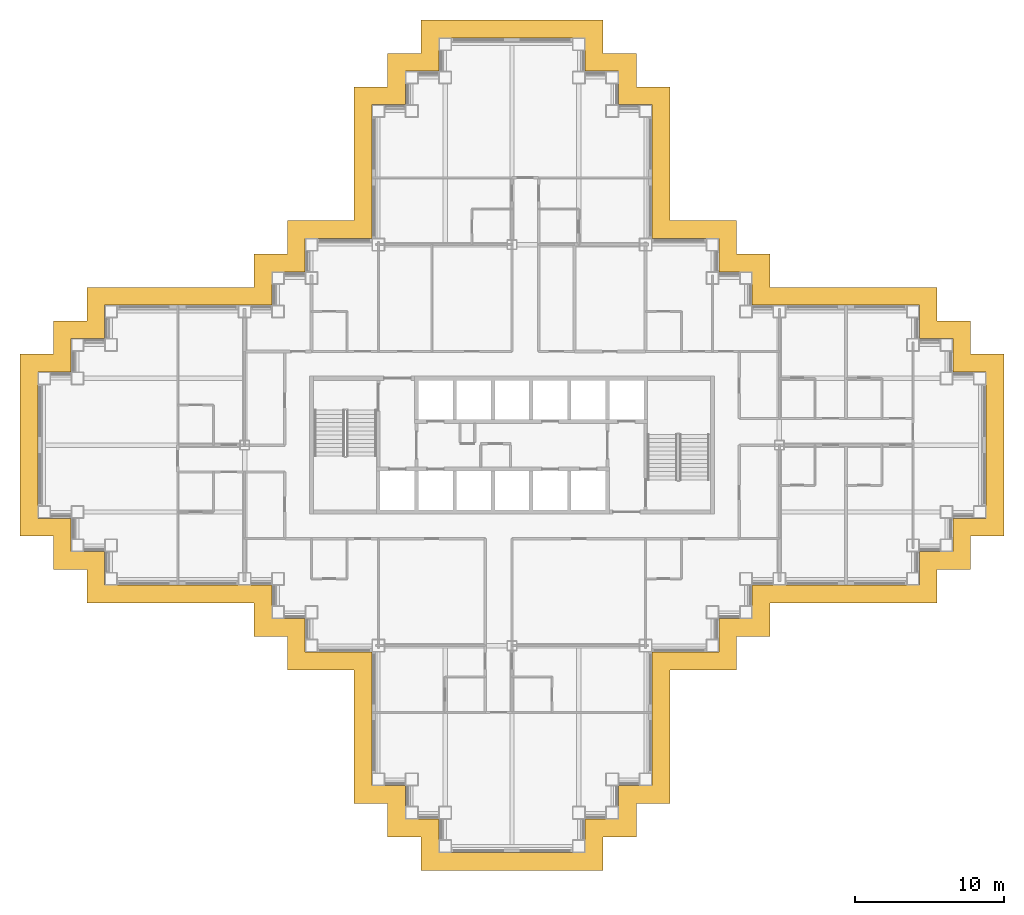
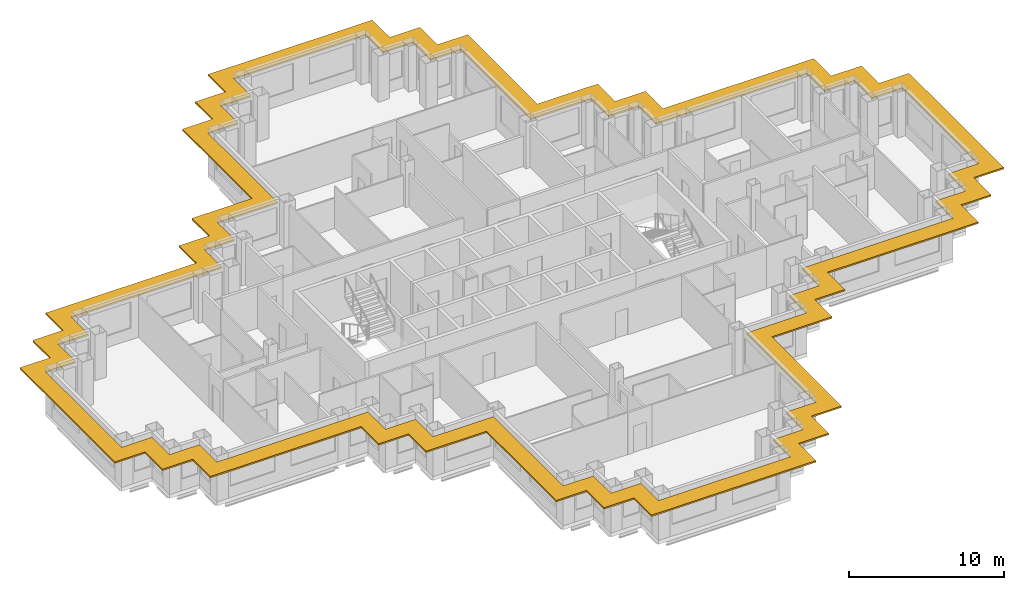
# One storey, part 14 of 15: 1 shading device.
"""IFC4 building model written with IfcOpenShell, lengths in metres."""

from ifc_helpers import new_model, si_unit, direction, frame, origin, place, context, subcontext, project, spatial, polyline, outline, extrude, material, layer, layer_set, type_object, element, save


model = new_model("IFC4")

# Units and contexts
model_context = context("Model", 3, precision=1e-05, world=origin(), true_north=direction((0.0, 1.0)))
body_context = subcontext(model_context, "Body", "Model", "MODEL_VIEW")
ifc_project = project(units=[si_unit("LENGTHUNIT", "METRE"), si_unit("AREAUNIT", "SQUARE_METRE"), si_unit("VOLUMEUNIT", "CUBIC_METRE"), si_unit("PLANEANGLEUNIT", "RADIAN"), si_unit("MASSUNIT", "GRAM", prefix="KILO")], contexts=[model_context])

# Site, building, storey
site_placement = place(None, origin())
site = spatial("IfcSite", under=ifc_project, at=site_placement, CompositionType="ELEMENT")
building_placement = place(site_placement, origin())
building = spatial("IfcBuilding", under=site, at=building_placement, Name="Caravel Reach Hotel and Residences", CompositionType="ELEMENT")
storey_placement = place(building_placement, frame((0.0, 0.0, 122.39990234375)))
storey = spatial("IfcBuildingStorey", under=building, at=storey_placement, Name="L30", CompositionType="ELEMENT", Elevation=122.39990234375)

# Shading device
ifc_material = material(Name="Black powder-coated aluminium", Category="aluminium")
ifc_layer = layer(ifc_material, 0.1201171875)
ifc_layer_set = layer_set([ifc_layer], Name="SS1 Sunshade band 1200")
shading_device_type = type_object("IfcShadingDeviceType", Name="SS1 Sunshade band 1200", PredefinedType="USERDEFINED", material=ifc_layer_set)
shading_device_placement = place(storey_placement, frame((0.0, 0.0, 3.0400390625)))
element("IfcShadingDevice", 1, at=shading_device_placement, inside=storey, type_object=shading_device_type, Name="Sunshade L30 1", ObjectType="SUNSHADE", PredefinedType="USERDEFINED", context=body_context, shape_type="SweptSolid", body=[
    extrude(outline(polyline([(20.875, 11.875), (20.875, 2.875), (23.125, 2.875), (23.125, 0.625), (25.375, 0.625), (25.375, -1.625), (37.625, -1.625), (37.625, 0.625), (39.875, 0.625), (39.875, 2.875), (42.125, 2.875), (42.125, 11.875), (46.625, 11.875), (46.625, 14.125), (48.875, 14.125), (48.875, 16.375), (60.125, 16.375), (60.125, 18.625), (62.375, 18.625), (62.375, 20.875), (64.625, 20.875), (64.625, 33.125), (62.375, 33.125), (62.375, 35.375), (60.125, 35.375), (60.125, 37.625), (48.875, 37.625), (48.875, 39.875), (46.625, 39.875), (46.625, 42.125), (42.125, 42.125), (42.125, 51.125), (39.875, 51.125), (39.875, 53.375), (37.625, 53.375), (37.625, 55.625), (25.375, 55.625), (25.375, 53.375), (23.125, 53.375), (23.125, 51.125), (20.875, 51.125), (20.875, 42.125), (16.375, 42.125), (16.375, 39.875), (14.125, 39.875), (14.125, 37.625), (2.875, 37.625), (2.875, 35.375), (0.625, 35.375), (0.625, 33.125), (-1.625, 33.125), (-1.625, 20.875), (0.625, 20.875), (0.625, 18.625), (2.875, 18.625), (2.875, 16.375), (14.125, 16.375), (14.125, 14.125), (16.375, 14.125), (16.375, 11.875), (20.875, 11.875)]), holes=[polyline([(24.324951171875, 4.074951171875), (22.074951171875, 4.074951171875), (22.074951171875, 13.074951171875), (17.574951171875, 13.074951171875), (17.574951171875, 15.324951171875), (15.324951171875, 15.324951171875), (15.324951171875, 17.574951171875), (4.074951171875, 17.574951171875), (4.074951171875, 19.824951171875), (1.824951171875, 19.824951171875), (1.824951171875, 22.074951171875), (-0.425048828125, 22.074951171875), (-0.425048828125, 31.925048828125), (1.824951171875, 31.925048828125), (1.824951171875, 34.175048828125), (4.074951171875, 34.175048828125), (4.074951171875, 36.425048828125), (15.324951171875, 36.425048828125), (15.324951171875, 38.675048828125), (17.574951171875, 38.675048828125), (17.574951171875, 40.925048828125), (22.074951171875, 40.925048828125), (22.074951171875, 49.925048828125), (24.324951171875, 49.925048828125), (24.324951171875, 52.175048828125), (26.574951171875, 52.175048828125), (26.574951171875, 54.425048828125), (36.425048828125, 54.425048828125), (36.425048828125, 52.175048828125), (38.675048828125, 52.175048828125), (38.675048828125, 49.925048828125), (40.925048828125, 49.925048828125), (40.925048828125, 40.925048828125), (45.425048828125, 40.925048828125), (45.425048828125, 38.675048828125), (47.675048828125, 38.675048828125), (47.675048828125, 36.425048828125), (58.925048828125, 36.425048828125), (58.925048828125, 34.175048828125), (61.175048828125, 34.175048828125), (61.175048828125, 31.925048828125), (63.425048828125, 31.925048828125), (63.425048828125, 22.074951171875), (61.175048828125, 22.074951171875), (61.175048828125, 19.824951171875), (58.925048828125, 19.824951171875), (58.925048828125, 17.574951171875), (47.675048828125, 17.574951171875), (47.675048828125, 15.324951171875), (45.425048828125, 15.324951171875), (45.425048828125, 13.074951171875), (40.925048828125, 13.074951171875), (40.925048828125, 4.074951171875), (38.675048828125, 4.074951171875), (38.675048828125, 1.824951171875), (36.425048828125, 1.824951171875), (36.425048828125, -0.425048828125), (26.574951171875, -0.425048828125), (26.574951171875, 1.824951171875), (24.324951171875, 1.824951171875), (24.324951171875, 4.074951171875)])]), origin(), (0.0, 0.0, 1.0), 0.1201171875),
])

save(model, "model.ifc")
